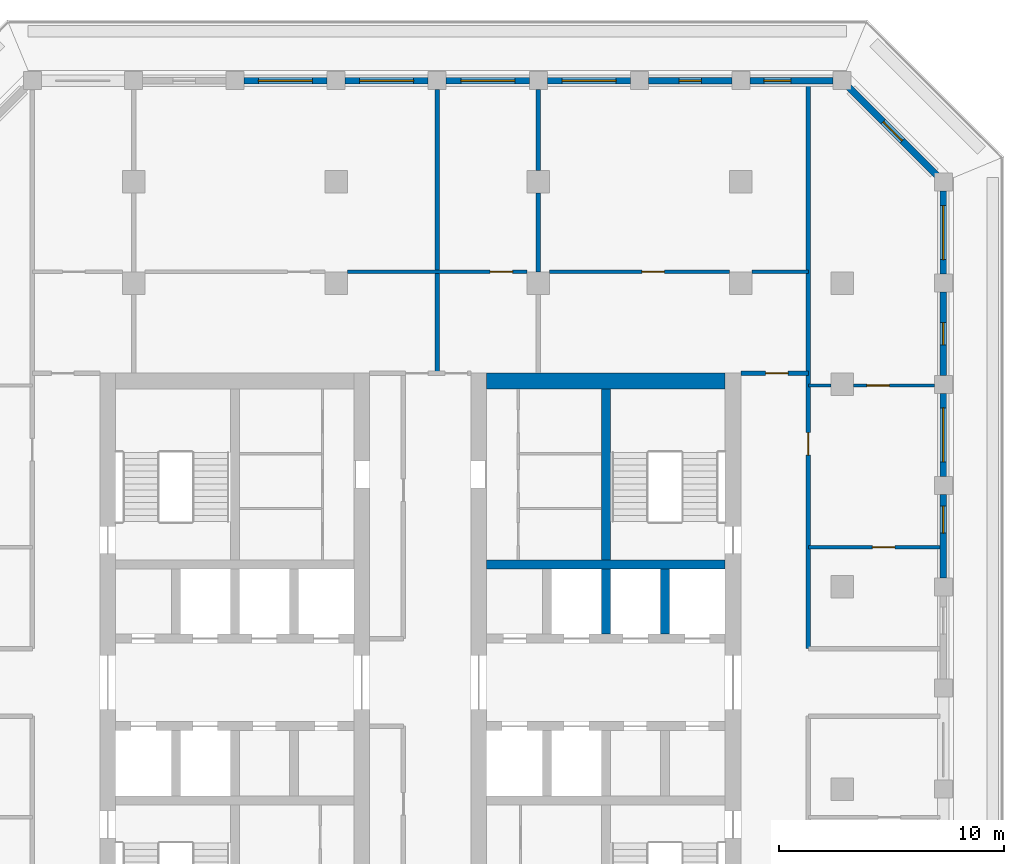
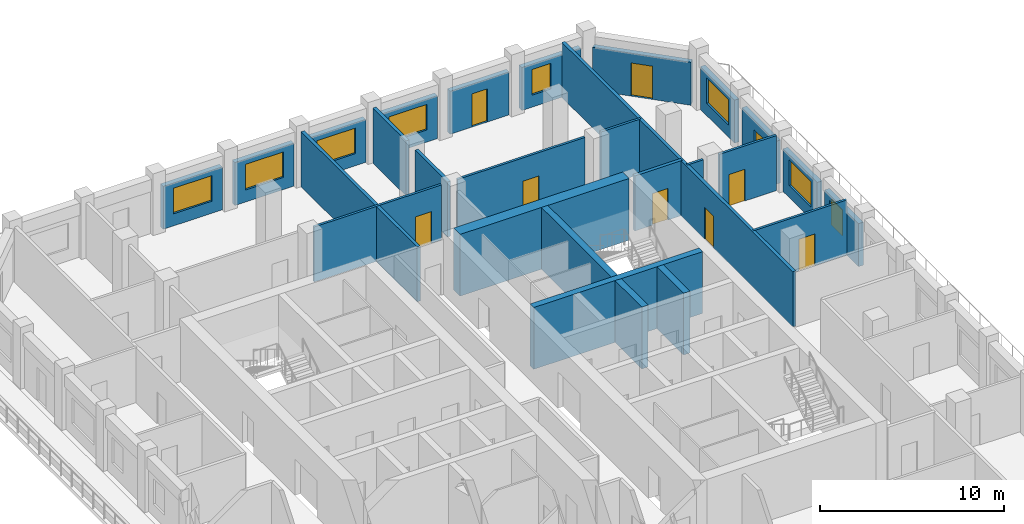
# One storey, part 7 of 17: 27 walls, 9 doors, 8 windows, 17 openings.
"""IFC4 building model written with IfcOpenShell, lengths in metres."""

from ifc_helpers import new_model, si_unit, direction, frame, frame_2d, origin, place, context, subcontext, project, spatial, rectangle, extrude, material, layer, layer_set, type_object, element, fill, save


model = new_model("IFC4")

# Units and contexts
model_context = context("Model", 3, precision=1e-05, world=origin(), true_north=direction((0.0, 1.0)))
body_context = subcontext(model_context, "Body", "Model", "MODEL_VIEW")
ifc_project = project(units=[si_unit("LENGTHUNIT", "METRE"), si_unit("AREAUNIT", "SQUARE_METRE"), si_unit("VOLUMEUNIT", "CUBIC_METRE"), si_unit("PLANEANGLEUNIT", "RADIAN"), si_unit("MASSUNIT", "GRAM", prefix="KILO")], contexts=[model_context])

# Site, building, storey
site_placement = place(None, origin())
site = spatial("IfcSite", under=ifc_project, at=site_placement, CompositionType="ELEMENT")
building_placement = place(site_placement, origin())
building = spatial("IfcBuilding", under=site, at=building_placement, Name="Corbel Stack Research Tower", CompositionType="ELEMENT")
storey_placement = place(building_placement, frame((0.0, 0.0, 252.10009765625)))
storey = spatial("IfcBuildingStorey", under=building, at=storey_placement, Name="L57", CompositionType="ELEMENT", Elevation=252.10009765625)

# Walls
ifc_material_1 = material(Name="Concrete C60/75", Category="concrete")
ifc_layer_1 = layer(ifc_material_1, 0.39990234375)
ifc_layer_set_1 = layer_set([ifc_layer_1], Name="Concrete C60/75")
wall_type_1 = type_object("IfcWallType", Name="CW-400-60", PredefinedType="SHEAR", material=ifc_layer_set_1)
wall_1_placement = place(storey_placement, frame((6.699951171875, 10.0, 0.0), z_axis=(0.0, 0.0, 1.0), x_axis=(1.0, 0.0, 0.0)))
element("IfcWall", 1, at=wall_1_placement, inside=storey, type_object=wall_type_1, Name="East core wall, north row back L57", PredefinedType="SHEAR", context=body_context, shape_type="SweptSolid", body=[
    extrude(rectangle(XDim=10.60009765625, YDim=0.39990234375, at=frame_2d((5.300048828125, 0.0))), origin(), (0.0, 0.0, 1.0), 4.099853515625),
])
for number, where, z_axis, x_axis, name in (
    (2, (12.0, 6.89990234375, 0.0), (0.0, 0.0, 1.0), (0.0, 1.0, 0.0), "East core wall, north shaft 2 L57"),
    (3, (14.625, 6.89990234375, 0.0), (0.0, 0.0, 1.0), (0.0, 1.0, 0.0), "East core wall, north shaft 3 L57"),
):
    element("IfcWall", number, at=place(storey_placement, frame(where, z_axis=z_axis, x_axis=x_axis)), inside=storey, type_object=wall_type_1, Name=name, PredefinedType="SHEAR", context=body_context, shape_type="SweptSolid", body=[
        extrude(rectangle(XDim=2.900146484375, YDim=0.39990234375, at=frame_2d((1.4501953125, 0.0))), origin(), (0.0, 0.0, 1.0), 4.099853515625),
    ])
wall_2_placement = place(storey_placement, frame((12.0, 10.199951171875, 0.0), z_axis=(0.0, 0.0, 1.0), x_axis=(0.0, 1.0, 0.0)))
element("IfcWall", 4, at=wall_2_placement, inside=storey, type_object=wall_type_1, Name="East core wall, north stair and riser L57", PredefinedType="SHEAR", context=body_context, shape_type="SweptSolid", body=[
    extrude(rectangle(XDim=7.60009765625, YDim=0.39990234375, at=frame_2d((3.800048828125, 0.0))), origin(), (0.0, 0.0, 1.0), 4.099853515625),
])
ifc_material_2 = material(Name="Concrete C60/75", Category="concrete")
ifc_layer_2 = layer(ifc_material_2, 0.699951171875)
ifc_layer_set_2 = layer_set([ifc_layer_2], Name="Concrete C60/75")
wall_type_2 = type_object("IfcWallType", Name="CW-700-60", PredefinedType="SHEAR", material=ifc_layer_set_2)
wall_3_placement = place(storey_placement, frame((6.699951171875, 18.14990234375, 0.0), z_axis=(0.0, 0.0, 1.0), x_axis=(1.0, 0.0, 0.0)))
element("IfcWall", 5, at=wall_3_placement, inside=storey, type_object=wall_type_2, Name="East core wall, north end L57", PredefinedType="SHEAR", context=body_context, shape_type="SweptSolid", body=[
    extrude(rectangle(XDim=10.60009765625, YDim=0.699951171875, at=frame_2d((5.300048828125, 0.0))), origin(), (0.0, 0.0, 1.0), 4.099853515625),
])
ifc_material_3 = material(Name="Fire-rated gypsum board partition on steel studs", Category="steel")
ifc_layer_3 = layer(ifc_material_3, 0.199951171875)
ifc_layer_set_3 = layer_set([ifc_layer_3], Name="Fire-rated gypsum board partition on steel studs")
wall_type_3 = type_object("IfcWallType", Name="Fire-rated partition 200 EI 60", PredefinedType="PARTITIONING", material=ifc_layer_set_3)
wall_4_placement = place(storey_placement, frame((4.5, 18.5, 0.0), z_axis=(0.0, 0.0, 1.0), x_axis=(0.0, 1.0, 0.0)))
element("IfcWall", 6, at=wall_4_placement, inside=storey, type_object=wall_type_3, Name="Partition L57-012", PredefinedType="PARTITIONING", context=body_context, shape_type="SweptSolid", body=[
    extrude(rectangle(XDim=12.60009765625, YDim=0.199951171875, at=frame_2d((6.300048828125, 0.0))), origin(), (0.0, 0.0, 1.0), 3.64990234375),
])
wall_5_placement = place(storey_placement, frame((9.0, 23.0, 0.0), z_axis=(0.0, 0.0, 1.0), x_axis=(0.0, 1.0, 0.0)))
element("IfcWall", 7, at=wall_5_placement, inside=storey, type_object=wall_type_3, Name="Partition L57-016", PredefinedType="PARTITIONING", context=body_context, shape_type="SweptSolid", body=[
    extrude(rectangle(XDim=3.5, YDim=0.199951171875, at=frame_2d((1.75, 0.0))), origin(), (0.0, 0.0, 1.0), 3.64990234375),
])
wall_6_placement = place(storey_placement, frame((9.0, 27.5, 0.0), z_axis=(0.0, 0.0, 1.0), x_axis=(0.0, 1.0, 0.0)))
element("IfcWall", 8, at=wall_6_placement, inside=storey, type_object=wall_type_3, Name="Partition L57-017", PredefinedType="PARTITIONING", context=body_context, shape_type="SweptSolid", body=[
    extrude(rectangle(XDim=3.60009765625, YDim=0.199951171875, at=frame_2d((1.800048828125, 0.0))), origin(), (0.0, 0.0, 1.0), 3.64990234375),
])

# Wall, opening, door
wall_7_placement = place(storey_placement, frame((21.0, 31.35009765625, 0.0), z_axis=(0.0, 0.0, 1.0), x_axis=(0.0, -1.0, 0.0)))
wall_7 = element("IfcWall", 9, at=wall_7_placement, inside=storey, type_object=wall_type_3, Name="Partition L57-019", PredefinedType="PARTITIONING", context=body_context, shape_type="SweptSolid", body=[
    extrude(rectangle(XDim=25.10009765625, YDim=0.199951171875, at=frame_2d((12.550048828125, 0.0))), origin(), (0.0, 0.0, 1.0), 3.64990234375),
])
opening_1_placement = place(wall_7_placement, frame((15.5, 0.0, 0.0)))
opening_1 = element("IfcOpeningElement", 10, at=opening_1_placement, cuts=wall_7, Name="Opening B7V1-027", PredefinedType="OPENING", context=body_context, shape_type="SweptSolid", body=[
    extrude(rectangle(XDim=1.0, YDim=2.10009765625, at=frame_2d((0.5, 1.050048828125))), frame((0.0, 0.10986328125, 0.0), z_axis=(0.0, -1.0, 0.0), x_axis=(1.0, 0.0, 0.0)), (0.0, 0.0, 1.0), 0.219970703125),
])
ifc_material_4 = material(Name="Painted steel fire door", Category="steel")
door_type_1 = type_object("IfcDoorType", Name="Fire door FD30S 1000 x 2100", OperationType="NOTDEFINED", PredefinedType="DOOR", material=ifc_material_4)
door_1_placement = place(opening_1_placement, origin())
door_1 = element("IfcDoor", 11, at=door_1_placement, inside=storey, type_object=door_type_1, Name="Door B7V1-027", OperationType="SINGLE_SWING_RIGHT", OverallHeight=2.10009765625, OverallWidth=1.0, PredefinedType="DOOR", context=body_context, shape_type="SweptSolid", body=[
    extrude(rectangle(XDim=1.0, YDim=2.10009765625, at=frame_2d((0.5, 1.050048828125))), frame((0.0, 0.02490234375, 0.0), z_axis=(0.0, -1.0, 0.0), x_axis=(1.0, 0.0, 0.0)), (0.0, 0.0, 1.0), 0.050048828125),
])
fill(opening_1, door_1)

wall_8_placement = place(storey_placement, frame((18.0, 18.5, 0.0), z_axis=(0.0, 0.0, 1.0), x_axis=(1.0, 0.0, 0.0)))
wall_8 = element("IfcWall", 12, at=wall_8_placement, inside=storey, type_object=wall_type_3, Name="Partition L57-044", PredefinedType="PARTITIONING", context=body_context, shape_type="SweptSolid", body=[
    extrude(rectangle(XDim=3.0, YDim=0.199951171875, at=frame_2d((1.5, 0.0))), origin(), (0.0, 0.0, 1.0), 3.64990234375),
])
opening_2_placement = place(wall_8_placement, frame((1.10009765625, 0.0, 0.0)))
opening_2 = element("IfcOpeningElement", 13, at=opening_2_placement, cuts=wall_8, Name="Opening B7V1-025", PredefinedType="OPENING", context=body_context, shape_type="SweptSolid", body=[
    extrude(rectangle(XDim=1.0, YDim=2.10009765625, at=frame_2d((0.5, 1.050048828125))), frame((0.0, 0.10986328125, 0.0), z_axis=(0.0, -1.0, 0.0), x_axis=(1.0, 0.0, 0.0)), (0.0, 0.0, 1.0), 0.219970703125),
])
door_2_placement = place(opening_2_placement, origin())
door_2 = element("IfcDoor", 14, at=door_2_placement, inside=storey, type_object=door_type_1, Name="Door B7V1-025", OperationType="SINGLE_SWING_RIGHT", OverallHeight=2.10009765625, OverallWidth=1.0, PredefinedType="DOOR", context=body_context, shape_type="SweptSolid", body=[
    extrude(rectangle(XDim=1.0, YDim=2.10009765625, at=frame_2d((0.5, 1.050048828125))), frame((0.0, 0.02490234375, 0.0), z_axis=(0.0, -1.0, 0.0), x_axis=(1.0, 0.0, 0.0)), (0.0, 0.0, 1.0), 0.050048828125),
])
fill(opening_2, door_2)

ifc_material_5 = material(Name="Gypsum board partition on steel studs", Category="steel")
ifc_layer_4 = layer(ifc_material_5, 0.14990234375)
ifc_layer_set_4 = layer_set([ifc_layer_4], Name="Gypsum board partition on steel studs")
wall_type_4 = type_object("IfcWallType", Name="Partition 150", PredefinedType="PARTITIONING", material=ifc_layer_set_4)
wall_9_placement = place(storey_placement, frame((26.85009765625, 10.75, 0.0), z_axis=(0.0, 0.0, 1.0), x_axis=(-1.0, 0.0, 0.0)))
wall_9 = element("IfcWall", 15, at=wall_9_placement, inside=storey, type_object=wall_type_4, Name="Partition L57-038", PredefinedType="PARTITIONING", context=body_context, shape_type="SweptSolid", body=[
    extrude(rectangle(XDim=5.85009765625, YDim=0.14990234375, at=frame_2d((2.925048828125, 0.0))), origin(), (0.0, 0.0, 1.0), 3.64990234375),
])
opening_3_placement = place(wall_9_placement, frame((2.0, 0.0, 0.0)))
opening_3 = element("IfcOpeningElement", 16, at=opening_3_placement, cuts=wall_9, Name="Opening B7V1-019", PredefinedType="OPENING", context=body_context, shape_type="SweptSolid", body=[
    extrude(rectangle(XDim=1.0, YDim=2.10009765625, at=frame_2d((0.5, 1.050048828125))), frame((0.0, 0.0849609375, 0.0), z_axis=(0.0, -1.0, 0.0), x_axis=(1.0, 0.0, 0.0)), (0.0, 0.0, 1.0), 0.169921875),
])
ifc_material_6 = material(Name="Painted timber door", Category="wood")
door_type_2 = type_object("IfcDoorType", Name="Single door 1000 x 2100", OperationType="NOTDEFINED", PredefinedType="DOOR", material=ifc_material_6)
door_3_placement = place(opening_3_placement, origin())
door_3 = element("IfcDoor", 17, at=door_3_placement, inside=storey, type_object=door_type_2, Name="Door B7V1-019", OperationType="SINGLE_SWING_LEFT", OverallHeight=2.10009765625, OverallWidth=1.0, PredefinedType="DOOR", context=body_context, shape_type="SweptSolid", body=[
    extrude(rectangle(XDim=1.0, YDim=2.10009765625, at=frame_2d((0.5, 1.050048828125))), frame((0.0, 0.02490234375, 0.0), z_axis=(0.0, -1.0, 0.0), x_axis=(1.0, 0.0, 0.0)), (0.0, 0.0, 1.0), 0.050048828125),
])
fill(opening_3, door_3)

# Wall
wall_10_placement = place(storey_placement, frame((21.0, 17.949951171875, 0.0), z_axis=(0.0, 0.0, 1.0), x_axis=(1.0, 0.0, 0.0)))
element("IfcWall", 18, at=wall_10_placement, inside=storey, type_object=wall_type_4, Name="Partition L57-040", PredefinedType="PARTITIONING", context=body_context, shape_type="SweptSolid", body=[
    extrude(rectangle(XDim=1.0, YDim=0.14990234375, at=frame_2d((0.5, 0.0))), origin(), (0.0, 0.0, 1.0), 3.64990234375),
])

# Wall, opening, door
wall_11_placement = place(storey_placement, frame((23.0, 17.949951171875, 0.0), z_axis=(0.0, 0.0, 1.0), x_axis=(1.0, 0.0, 0.0)))
wall_11 = element("IfcWall", 19, at=wall_11_placement, inside=storey, type_object=wall_type_4, Name="Partition L57-041", PredefinedType="PARTITIONING", context=body_context, shape_type="SweptSolid", body=[
    extrude(rectangle(XDim=3.60009765625, YDim=0.14990234375, at=frame_2d((1.800048828125, 0.0))), origin(), (0.0, 0.0, 1.0), 3.64990234375),
])
opening_4_placement = place(wall_11_placement, frame((0.60009765625, 0.0, 0.0)))
opening_4 = element("IfcOpeningElement", 20, at=opening_4_placement, cuts=wall_11, Name="Opening B7V1-021", PredefinedType="OPENING", context=body_context, shape_type="SweptSolid", body=[
    extrude(rectangle(XDim=1.0, YDim=2.10009765625, at=frame_2d((0.5, 1.050048828125))), frame((0.0, 0.0849609375, 0.0), z_axis=(0.0, -1.0, 0.0), x_axis=(1.0, 0.0, 0.0)), (0.0, 0.0, 1.0), 0.169921875),
])
door_4_placement = place(opening_4_placement, origin())
door_4 = element("IfcDoor", 21, at=door_4_placement, inside=storey, type_object=door_type_2, Name="Door B7V1-021", OperationType="SINGLE_SWING_LEFT", OverallHeight=2.10009765625, OverallWidth=1.0, PredefinedType="DOOR", context=body_context, shape_type="SweptSolid", body=[
    extrude(rectangle(XDim=1.0, YDim=2.10009765625, at=frame_2d((0.5, 1.050048828125))), frame((0.0, 0.02490234375, 0.0), z_axis=(0.0, -1.0, 0.0), x_axis=(1.0, 0.0, 0.0)), (0.0, 0.0, 1.0), 0.050048828125),
])
fill(opening_4, door_4)

wall_12_placement = place(storey_placement, frame((0.5, 23.0, 0.0), z_axis=(0.0, 0.0, 1.0), x_axis=(1.0, 0.0, 0.0)))
wall_12 = element("IfcWall", 22, at=wall_12_placement, inside=storey, type_object=wall_type_4, Name="Partition L57-047", PredefinedType="PARTITIONING", context=body_context, shape_type="SweptSolid", body=[
    extrude(rectangle(XDim=8.0, YDim=0.14990234375, at=frame_2d((4.0, 0.0))), origin(), (0.0, 0.0, 1.0), 3.64990234375),
])
opening_5_placement = place(wall_12_placement, frame((6.35009765625, 0.0, 0.0)))
opening_5 = element("IfcOpeningElement", 23, at=opening_5_placement, cuts=wall_12, Name="Opening B7V1-030", PredefinedType="OPENING", context=body_context, shape_type="SweptSolid", body=[
    extrude(rectangle(XDim=1.0, YDim=2.10009765625, at=frame_2d((0.5, 1.050048828125))), frame((0.0, 0.0849609375, 0.0), z_axis=(0.0, -1.0, 0.0), x_axis=(1.0, 0.0, 0.0)), (0.0, 0.0, 1.0), 0.169921875),
])
door_5_placement = place(opening_5_placement, origin())
door_5 = element("IfcDoor", 24, at=door_5_placement, inside=storey, type_object=door_type_2, Name="Door B7V1-030", OperationType="SINGLE_SWING_RIGHT", OverallHeight=2.10009765625, OverallWidth=1.0, PredefinedType="DOOR", context=body_context, shape_type="SweptSolid", body=[
    extrude(rectangle(XDim=1.0, YDim=2.10009765625, at=frame_2d((0.5, 1.050048828125))), frame((0.0, 0.02490234375, 0.0), z_axis=(0.0, -1.0, 0.0), x_axis=(1.0, 0.0, 0.0)), (0.0, 0.0, 1.0), 0.050048828125),
])
fill(opening_5, door_5)

wall_13_placement = place(storey_placement, frame((9.5, 23.0, 0.0), z_axis=(0.0, 0.0, 1.0), x_axis=(1.0, 0.0, 0.0)))
wall_13 = element("IfcWall", 25, at=wall_13_placement, inside=storey, type_object=wall_type_4, Name="Partition L57-048", PredefinedType="PARTITIONING", context=body_context, shape_type="SweptSolid", body=[
    extrude(rectangle(XDim=8.0, YDim=0.14990234375, at=frame_2d((4.0, 0.0))), origin(), (0.0, 0.0, 1.0), 3.64990234375),
])
opening_6_placement = place(wall_13_placement, frame((4.10009765625, 0.0, 0.0)))
opening_6 = element("IfcOpeningElement", 26, at=opening_6_placement, cuts=wall_13, Name="Opening B7V1-031", PredefinedType="OPENING", context=body_context, shape_type="SweptSolid", body=[
    extrude(rectangle(XDim=1.0, YDim=2.10009765625, at=frame_2d((0.5, 1.050048828125))), frame((0.0, 0.0849609375, 0.0), z_axis=(0.0, -1.0, 0.0), x_axis=(1.0, 0.0, 0.0)), (0.0, 0.0, 1.0), 0.169921875),
])
door_6_placement = place(opening_6_placement, origin())
door_6 = element("IfcDoor", 27, at=door_6_placement, inside=storey, type_object=door_type_2, Name="Door B7V1-031", OperationType="SINGLE_SWING_RIGHT", OverallHeight=2.10009765625, OverallWidth=1.0, PredefinedType="DOOR", context=body_context, shape_type="SweptSolid", body=[
    extrude(rectangle(XDim=1.0, YDim=2.10009765625, at=frame_2d((0.5, 1.050048828125))), frame((0.0, 0.02490234375, 0.0), z_axis=(0.0, -1.0, 0.0), x_axis=(1.0, 0.0, 0.0)), (0.0, 0.0, 1.0), 0.050048828125),
])
fill(opening_6, door_6)

# Wall
wall_14_placement = place(storey_placement, frame((18.5, 23.0, 0.0), z_axis=(0.0, 0.0, 1.0), x_axis=(1.0, 0.0, 0.0)))
element("IfcWall", 28, at=wall_14_placement, inside=storey, type_object=wall_type_4, Name="Partition L57-049", PredefinedType="PARTITIONING", context=body_context, shape_type="SweptSolid", body=[
    extrude(rectangle(XDim=2.5, YDim=0.14990234375, at=frame_2d((1.25, 0.0))), origin(), (0.0, 0.0, 1.0), 3.64990234375),
])

# Wall, opening, window
ifc_material_7 = material(Name="Concrete C45/55", Category="concrete")
ifc_layer_5 = layer(ifc_material_7, 0.300048828125)
ifc_layer_set_5 = layer_set([ifc_layer_5], Name="Concrete C45/55")
wall_type_5 = type_object("IfcWallType", Name="Terracotta-faced concrete wall 300", PredefinedType="SOLIDWALL", material=ifc_layer_set_5)
wall_15_placement = place(storey_placement, frame((27.0, 13.10009765625, 0.0), z_axis=(0.0, 0.0, 1.0), x_axis=(0.0, -1.0, 0.0)))
wall_15 = element("IfcWall", 29, at=wall_15_placement, inside=storey, type_object=wall_type_5, Name="Facade wall L57 E07", PredefinedType="SOLIDWALL", context=body_context, shape_type="SweptSolid", body=[
    extrude(rectangle(XDim=3.7001953125, YDim=0.300048828125, at=frame_2d((1.85009765625, 0.0))), origin(), (0.0, 0.0, 1.0), 2.849853515625),
])
opening_7_placement = place(wall_15_placement, frame((0.512451171875, 0.0, 0.800048828125)))
opening_7 = element("IfcOpeningElement", 30, at=opening_7_placement, cuts=wall_15, Name="Opening W2", PredefinedType="OPENING", context=body_context, shape_type="SweptSolid", body=[
    extrude(rectangle(XDim=1.199951171875, YDim=1.699951171875, at=frame_2d((0.60009765625, 0.85009765625))), frame((0.0, 0.159912109375, 0.0), z_axis=(0.0, -1.0, 0.0), x_axis=(1.0, 0.0, 0.0)), (0.0, 0.0, 1.0), 0.320068359375),
])
ifc_material_8 = material(Name="Aluminium frame, clear double glazing", Category="aluminium")
window_type_1 = type_object("IfcWindowType", Name="Window W2 1200 x 1700", PartitioningType="SINGLE_PANEL", PredefinedType="WINDOW", material=ifc_material_8)
window_1_placement = place(opening_7_placement, origin())
window_1 = element("IfcWindow", 31, at=window_1_placement, inside=storey, type_object=window_type_1, Name="Window W2 L57 E07", OverallHeight=1.699951171875, OverallWidth=1.199951171875, PartitioningType="SINGLE_PANEL", PredefinedType="WINDOW", context=body_context, shape_type="SweptSolid", body=[
    extrude(rectangle(XDim=1.199951171875, YDim=1.699951171875, at=frame_2d((0.60009765625, 0.85009765625))), frame((0.0, 0.030029296875, 0.0), z_axis=(0.0, -1.0, 0.0), x_axis=(1.0, 0.0, 0.0)), (0.0, 0.0, 1.0), 0.06005859375),
])
fill(opening_7, window_1)

wall_16_placement = place(storey_placement, frame((27.0, 17.60009765625, 0.0), z_axis=(0.0, 0.0, 1.0), x_axis=(0.0, -1.0, 0.0)))
wall_16 = element("IfcWall", 32, at=wall_16_placement, inside=storey, type_object=wall_type_5, Name="Facade wall L57 E08", PredefinedType="SOLIDWALL", context=body_context, shape_type="SweptSolid", body=[
    extrude(rectangle(XDim=3.7001953125, YDim=0.300048828125, at=frame_2d((1.85009765625, 0.0))), origin(), (0.0, 0.0, 1.0), 2.849853515625),
])
opening_8_placement = place(wall_16_placement, frame((0.64990234375, 0.0, 0.800048828125)))
opening_8 = element("IfcOpeningElement", 33, at=opening_8_placement, cuts=wall_16, Name="Opening W1", PredefinedType="OPENING", context=body_context, shape_type="SweptSolid", body=[
    extrude(rectangle(XDim=2.39990234375, YDim=1.699951171875, at=frame_2d((1.199951171875, 0.85009765625))), frame((0.0, 0.159912109375, 0.0), z_axis=(0.0, -1.0, 0.0), x_axis=(1.0, 0.0, 0.0)), (0.0, 0.0, 1.0), 0.320068359375),
])
ifc_material_9 = material(Name="Aluminium frame, clear double glazing", Category="aluminium")
window_type_2 = type_object("IfcWindowType", Name="Window W1 2400 x 1700", PartitioningType="SINGLE_PANEL", PredefinedType="WINDOW", material=ifc_material_9)
window_2_placement = place(opening_8_placement, origin())
window_2 = element("IfcWindow", 34, at=window_2_placement, inside=storey, type_object=window_type_2, Name="Window W1 L57 E08", OverallHeight=1.699951171875, OverallWidth=2.39990234375, PartitioningType="SINGLE_PANEL", PredefinedType="WINDOW", context=body_context, shape_type="SweptSolid", body=[
    extrude(rectangle(XDim=2.39990234375, YDim=1.699951171875, at=frame_2d((1.199951171875, 0.85009765625))), frame((0.0, 0.030029296875, 0.0), z_axis=(0.0, -1.0, 0.0), x_axis=(1.0, 0.0, 0.0)), (0.0, 0.0, 1.0), 0.06005859375),
])
fill(opening_8, window_2)

# Wall, opening, door
wall_17_placement = place(storey_placement, frame((27.0, 22.10009765625, 0.0), z_axis=(0.0, 0.0, 1.0), x_axis=(0.0, -1.0, 0.0)))
wall_17 = element("IfcWall", 35, at=wall_17_placement, inside=storey, type_object=wall_type_5, Name="Facade wall L57 E09", PredefinedType="SOLIDWALL", context=body_context, shape_type="SweptSolid", body=[
    extrude(rectangle(XDim=3.7001953125, YDim=0.300048828125, at=frame_2d((1.85009765625, 0.0))), origin(), (0.0, 0.0, 1.0), 2.849853515625),
])
opening_9_placement = place(wall_17_placement, frame((1.35009765625, 0.0, 0.0)))
opening_9 = element("IfcOpeningElement", 36, at=opening_9_placement, cuts=wall_17, Name="Opening L57-B05", PredefinedType="OPENING", context=body_context, shape_type="SweptSolid", body=[
    extrude(rectangle(XDim=1.0, YDim=2.199951171875, at=frame_2d((0.5, 1.10009765625))), frame((0.0, 0.159912109375, 0.0), z_axis=(0.0, -1.0, 0.0), x_axis=(1.0, 0.0, 0.0)), (0.0, 0.0, 1.0), 0.320068359375),
])
ifc_material_10 = material(Name="Aluminium frame, clear double glazing", Category="aluminium")
door_type_3 = type_object("IfcDoorType", Name="Balcony door BD1 1000 x 2200", OperationType="NOTDEFINED", PredefinedType="DOOR", material=ifc_material_10)
door_7_placement = place(opening_9_placement, origin())
door_7 = element("IfcDoor", 37, at=door_7_placement, inside=storey, type_object=door_type_3, Name="Balcony door L57-B05", OperationType="SINGLE_SWING_RIGHT", OverallHeight=2.199951171875, OverallWidth=1.0, PredefinedType="DOOR", context=body_context, shape_type="SweptSolid", body=[
    extrude(rectangle(XDim=1.0, YDim=2.199951171875, at=frame_2d((0.5, 1.10009765625))), frame((0.0, 0.02490234375, 0.0), z_axis=(0.0, -1.0, 0.0), x_axis=(1.0, 0.0, 0.0)), (0.0, 0.0, 1.0), 0.050048828125),
])
fill(opening_9, door_7)

# Wall, opening, window
wall_18_placement = place(storey_placement, frame((27.0, 26.60009765625, 0.0), z_axis=(0.0, 0.0, 1.0), x_axis=(0.0, -1.0, 0.0)))
wall_18 = element("IfcWall", 38, at=wall_18_placement, inside=storey, type_object=wall_type_5, Name="Facade wall L57 E10", PredefinedType="SOLIDWALL", context=body_context, shape_type="SweptSolid", body=[
    extrude(rectangle(XDim=3.7001953125, YDim=0.300048828125, at=frame_2d((1.85009765625, 0.0))), origin(), (0.0, 0.0, 1.0), 2.849853515625),
])
opening_10_placement = place(wall_18_placement, frame((0.64990234375, 0.0, 0.800048828125)))
opening_10 = element("IfcOpeningElement", 39, at=opening_10_placement, cuts=wall_18, Name="Opening W1", PredefinedType="OPENING", context=body_context, shape_type="SweptSolid", body=[
    extrude(rectangle(XDim=2.39990234375, YDim=1.699951171875, at=frame_2d((1.199951171875, 0.85009765625))), frame((0.0, 0.159912109375, 0.0), z_axis=(0.0, -1.0, 0.0), x_axis=(1.0, 0.0, 0.0)), (0.0, 0.0, 1.0), 0.320068359375),
])
window_3_placement = place(opening_10_placement, origin())
window_3 = element("IfcWindow", 40, at=window_3_placement, inside=storey, type_object=window_type_2, Name="Window W1 L57 E10", OverallHeight=1.699951171875, OverallWidth=2.39990234375, PartitioningType="SINGLE_PANEL", PredefinedType="WINDOW", context=body_context, shape_type="SweptSolid", body=[
    extrude(rectangle(XDim=2.39990234375, YDim=1.699951171875, at=frame_2d((1.199951171875, 0.85009765625))), frame((0.0, 0.030029296875, 0.0), z_axis=(0.0, -1.0, 0.0), x_axis=(1.0, 0.0, 0.0)), (0.0, 0.0, 1.0), 0.06005859375),
])
fill(opening_10, window_3)

# Wall, opening, door
wall_19_placement = place(storey_placement, frame((22.7939453125, 31.2060546875, 0.0), z_axis=(0.0, 0.0, 1.0), x_axis=(0.707106781187, -0.707106781187, 0.0)))
wall_19 = element("IfcWall", 41, at=wall_19_placement, inside=storey, type_object=wall_type_5, Name="Facade wall L57 NE01", PredefinedType="SOLIDWALL", context=body_context, shape_type="SweptSolid", body=[
    extrude(rectangle(XDim=5.532470703125, YDim=0.300048828125, at=frame_2d((2.76611328125, 0.0))), origin(), (0.0, 0.0, 1.0), 2.849853515625),
])
opening_11_placement = place(wall_19_placement, frame((2.166259765625, 0.0, 0.0)))
opening_11 = element("IfcOpeningElement", 42, at=opening_11_placement, cuts=wall_19, Name="Opening L57-B06", PredefinedType="OPENING", context=body_context, shape_type="SweptSolid", body=[
    extrude(rectangle(XDim=1.199951171875, YDim=2.199951171875, at=frame_2d((0.60009765625, 1.10009765625))), frame((0.0, 0.159912109375, 0.0), z_axis=(0.0, -1.0, 0.0), x_axis=(1.0, 0.0, 0.0)), (0.0, 0.0, 1.0), 0.320068359375),
])
ifc_material_11 = material(Name="Aluminium frame, clear double glazing", Category="aluminium")
door_type_4 = type_object("IfcDoorType", Name="Balcony door BD2 1200 x 2200", OperationType="NOTDEFINED", PredefinedType="DOOR", material=ifc_material_11)
door_8_placement = place(opening_11_placement, origin())
door_8 = element("IfcDoor", 43, at=door_8_placement, inside=storey, type_object=door_type_4, Name="Balcony door L57-B06", OperationType="SINGLE_SWING_RIGHT", OverallHeight=2.199951171875, OverallWidth=1.199951171875, PredefinedType="DOOR", context=body_context, shape_type="SweptSolid", body=[
    extrude(rectangle(XDim=1.199951171875, YDim=2.199951171875, at=frame_2d((0.60009765625, 1.10009765625))), frame((0.0, 0.02490234375, 0.0), z_axis=(0.0, -1.0, 0.0), x_axis=(1.0, 0.0, 0.0)), (0.0, 0.0, 1.0), 0.050048828125),
])
fill(opening_11, door_8)

# Wall, opening, window
wall_20_placement = place(storey_placement, frame((18.39990234375, 31.5, 0.0), z_axis=(0.0, 0.0, 1.0), x_axis=(1.0, 0.0, 0.0)))
wall_20 = element("IfcWall", 44, at=wall_20_placement, inside=storey, type_object=wall_type_5, Name="Facade wall L57 N01", PredefinedType="SOLIDWALL", context=body_context, shape_type="SweptSolid", body=[
    extrude(rectangle(XDim=3.7001953125, YDim=0.300048828125, at=frame_2d((1.85009765625, 0.0))), origin(), (0.0, 0.0, 1.0), 2.849853515625),
])
opening_12_placement = place(wall_20_placement, frame((0.625, 0.0, 0.800048828125)))
opening_12 = element("IfcOpeningElement", 45, at=opening_12_placement, cuts=wall_20, Name="Opening W2", PredefinedType="OPENING", context=body_context, shape_type="SweptSolid", body=[
    extrude(rectangle(XDim=1.199951171875, YDim=1.699951171875, at=frame_2d((0.60009765625, 0.85009765625))), frame((0.0, 0.159912109375, 0.0), z_axis=(0.0, -1.0, 0.0), x_axis=(1.0, 0.0, 0.0)), (0.0, 0.0, 1.0), 0.320068359375),
])
window_4_placement = place(opening_12_placement, origin())
window_4 = element("IfcWindow", 46, at=window_4_placement, inside=storey, type_object=window_type_1, Name="Window W2 L57 N01", OverallHeight=1.699951171875, OverallWidth=1.199951171875, PartitioningType="SINGLE_PANEL", PredefinedType="WINDOW", context=body_context, shape_type="SweptSolid", body=[
    extrude(rectangle(XDim=1.199951171875, YDim=1.699951171875, at=frame_2d((0.60009765625, 0.85009765625))), frame((0.0, 0.030029296875, 0.0), z_axis=(0.0, -1.0, 0.0), x_axis=(1.0, 0.0, 0.0)), (0.0, 0.0, 1.0), 0.06005859375),
])
fill(opening_12, window_4)

# Wall, opening, door
wall_21_placement = place(storey_placement, frame((13.89990234375, 31.5, 0.0), z_axis=(0.0, 0.0, 1.0), x_axis=(1.0, 0.0, 0.0)))
wall_21 = element("IfcWall", 47, at=wall_21_placement, inside=storey, type_object=wall_type_5, Name="Facade wall L57 N02", PredefinedType="SOLIDWALL", context=body_context, shape_type="SweptSolid", body=[
    extrude(rectangle(XDim=3.7001953125, YDim=0.300048828125, at=frame_2d((1.85009765625, 0.0))), origin(), (0.0, 0.0, 1.0), 2.849853515625),
])
opening_13_placement = place(wall_21_placement, frame((1.35009765625, 0.0, 0.0)))
opening_13 = element("IfcOpeningElement", 48, at=opening_13_placement, cuts=wall_21, Name="Opening L57-B07", PredefinedType="OPENING", context=body_context, shape_type="SweptSolid", body=[
    extrude(rectangle(XDim=1.0, YDim=2.199951171875, at=frame_2d((0.5, 1.10009765625))), frame((0.0, 0.159912109375, 0.0), z_axis=(0.0, -1.0, 0.0), x_axis=(1.0, 0.0, 0.0)), (0.0, 0.0, 1.0), 0.320068359375),
])
door_9_placement = place(opening_13_placement, origin())
door_9 = element("IfcDoor", 49, at=door_9_placement, inside=storey, type_object=door_type_3, Name="Balcony door L57-B07", OperationType="SINGLE_SWING_LEFT", OverallHeight=2.199951171875, OverallWidth=1.0, PredefinedType="DOOR", context=body_context, shape_type="SweptSolid", body=[
    extrude(rectangle(XDim=1.0, YDim=2.199951171875, at=frame_2d((0.5, 1.10009765625))), frame((0.0, 0.02490234375, 0.0), z_axis=(0.0, -1.0, 0.0), x_axis=(1.0, 0.0, 0.0)), (0.0, 0.0, 1.0), 0.050048828125),
])
fill(opening_13, door_9)

# Wall, opening, window
wall_22_placement = place(storey_placement, frame((9.39990234375, 31.5, 0.0), z_axis=(0.0, 0.0, 1.0), x_axis=(1.0, 0.0, 0.0)))
wall_22 = element("IfcWall", 50, at=wall_22_placement, inside=storey, type_object=wall_type_5, Name="Facade wall L57 N03", PredefinedType="SOLIDWALL", context=body_context, shape_type="SweptSolid", body=[
    extrude(rectangle(XDim=3.7001953125, YDim=0.300048828125, at=frame_2d((1.85009765625, 0.0))), origin(), (0.0, 0.0, 1.0), 2.849853515625),
])
opening_14_placement = place(wall_22_placement, frame((0.64990234375, 0.0, 0.800048828125)))
opening_14 = element("IfcOpeningElement", 51, at=opening_14_placement, cuts=wall_22, Name="Opening W1", PredefinedType="OPENING", context=body_context, shape_type="SweptSolid", body=[
    extrude(rectangle(XDim=2.39990234375, YDim=1.699951171875, at=frame_2d((1.199951171875, 0.85009765625))), frame((0.0, 0.159912109375, 0.0), z_axis=(0.0, -1.0, 0.0), x_axis=(1.0, 0.0, 0.0)), (0.0, 0.0, 1.0), 0.320068359375),
])
window_5_placement = place(opening_14_placement, origin())
window_5 = element("IfcWindow", 52, at=window_5_placement, inside=storey, type_object=window_type_2, Name="Window W1 L57 N03", OverallHeight=1.699951171875, OverallWidth=2.39990234375, PartitioningType="SINGLE_PANEL", PredefinedType="WINDOW", context=body_context, shape_type="SweptSolid", body=[
    extrude(rectangle(XDim=2.39990234375, YDim=1.699951171875, at=frame_2d((1.199951171875, 0.85009765625))), frame((0.0, 0.030029296875, 0.0), z_axis=(0.0, -1.0, 0.0), x_axis=(1.0, 0.0, 0.0)), (0.0, 0.0, 1.0), 0.06005859375),
])
fill(opening_14, window_5)

wall_23_placement = place(storey_placement, frame((4.89990234375, 31.5, 0.0), z_axis=(0.0, 0.0, 1.0), x_axis=(1.0, 0.0, 0.0)))
wall_23 = element("IfcWall", 53, at=wall_23_placement, inside=storey, type_object=wall_type_5, Name="Facade wall L57 N04", PredefinedType="SOLIDWALL", context=body_context, shape_type="SweptSolid", body=[
    extrude(rectangle(XDim=3.7001953125, YDim=0.300048828125, at=frame_2d((1.85009765625, 0.0))), origin(), (0.0, 0.0, 1.0), 2.849853515625),
])
opening_15_placement = place(wall_23_placement, frame((0.64990234375, 0.0, 0.800048828125)))
opening_15 = element("IfcOpeningElement", 54, at=opening_15_placement, cuts=wall_23, Name="Opening W1", PredefinedType="OPENING", context=body_context, shape_type="SweptSolid", body=[
    extrude(rectangle(XDim=2.39990234375, YDim=1.699951171875, at=frame_2d((1.199951171875, 0.85009765625))), frame((0.0, 0.159912109375, 0.0), z_axis=(0.0, -1.0, 0.0), x_axis=(1.0, 0.0, 0.0)), (0.0, 0.0, 1.0), 0.320068359375),
])
window_6_placement = place(opening_15_placement, origin())
window_6 = element("IfcWindow", 55, at=window_6_placement, inside=storey, type_object=window_type_2, Name="Window W1 L57 N04", OverallHeight=1.699951171875, OverallWidth=2.39990234375, PartitioningType="SINGLE_PANEL", PredefinedType="WINDOW", context=body_context, shape_type="SweptSolid", body=[
    extrude(rectangle(XDim=2.39990234375, YDim=1.699951171875, at=frame_2d((1.199951171875, 0.85009765625))), frame((0.0, 0.030029296875, 0.0), z_axis=(0.0, -1.0, 0.0), x_axis=(1.0, 0.0, 0.0)), (0.0, 0.0, 1.0), 0.06005859375),
])
fill(opening_15, window_6)

wall_24_placement = place(storey_placement, frame((0.39990234375, 31.5, 0.0), z_axis=(0.0, 0.0, 1.0), x_axis=(1.0, 0.0, 0.0)))
wall_24 = element("IfcWall", 56, at=wall_24_placement, inside=storey, type_object=wall_type_5, Name="Facade wall L57 N05", PredefinedType="SOLIDWALL", context=body_context, shape_type="SweptSolid", body=[
    extrude(rectangle(XDim=3.7001953125, YDim=0.300048828125, at=frame_2d((1.85009765625, 0.0))), origin(), (0.0, 0.0, 1.0), 2.849853515625),
])
opening_16_placement = place(wall_24_placement, frame((0.64990234375, 0.0, 0.800048828125)))
opening_16 = element("IfcOpeningElement", 57, at=opening_16_placement, cuts=wall_24, Name="Opening W1", PredefinedType="OPENING", context=body_context, shape_type="SweptSolid", body=[
    extrude(rectangle(XDim=2.39990234375, YDim=1.699951171875, at=frame_2d((1.199951171875, 0.85009765625))), frame((0.0, 0.159912109375, 0.0), z_axis=(0.0, -1.0, 0.0), x_axis=(1.0, 0.0, 0.0)), (0.0, 0.0, 1.0), 0.320068359375),
])
window_7_placement = place(opening_16_placement, origin())
window_7 = element("IfcWindow", 58, at=window_7_placement, inside=storey, type_object=window_type_2, Name="Window W1 L57 N05", OverallHeight=1.699951171875, OverallWidth=2.39990234375, PartitioningType="SINGLE_PANEL", PredefinedType="WINDOW", context=body_context, shape_type="SweptSolid", body=[
    extrude(rectangle(XDim=2.39990234375, YDim=1.699951171875, at=frame_2d((1.199951171875, 0.85009765625))), frame((0.0, 0.030029296875, 0.0), z_axis=(0.0, -1.0, 0.0), x_axis=(1.0, 0.0, 0.0)), (0.0, 0.0, 1.0), 0.06005859375),
])
fill(opening_16, window_7)

wall_25_placement = place(storey_placement, frame((-4.10009765625, 31.5, 0.0), z_axis=(0.0, 0.0, 1.0), x_axis=(1.0, 0.0, 0.0)))
wall_25 = element("IfcWall", 59, at=wall_25_placement, inside=storey, type_object=wall_type_5, Name="Facade wall L57 N06", PredefinedType="SOLIDWALL", context=body_context, shape_type="SweptSolid", body=[
    extrude(rectangle(XDim=3.7001953125, YDim=0.300048828125, at=frame_2d((1.85009765625, 0.0))), origin(), (0.0, 0.0, 1.0), 2.849853515625),
])
opening_17_placement = place(wall_25_placement, frame((0.64990234375, 0.0, 0.800048828125)))
opening_17 = element("IfcOpeningElement", 60, at=opening_17_placement, cuts=wall_25, Name="Opening W1", PredefinedType="OPENING", context=body_context, shape_type="SweptSolid", body=[
    extrude(rectangle(XDim=2.39990234375, YDim=1.699951171875, at=frame_2d((1.199951171875, 0.85009765625))), frame((0.0, 0.159912109375, 0.0), z_axis=(0.0, -1.0, 0.0), x_axis=(1.0, 0.0, 0.0)), (0.0, 0.0, 1.0), 0.320068359375),
])
window_8_placement = place(opening_17_placement, origin())
window_8 = element("IfcWindow", 61, at=window_8_placement, inside=storey, type_object=window_type_2, Name="Window W1 L57 N06", OverallHeight=1.699951171875, OverallWidth=2.39990234375, PartitioningType="SINGLE_PANEL", PredefinedType="WINDOW", context=body_context, shape_type="SweptSolid", body=[
    extrude(rectangle(XDim=2.39990234375, YDim=1.699951171875, at=frame_2d((1.199951171875, 0.85009765625))), frame((0.0, 0.030029296875, 0.0), z_axis=(0.0, -1.0, 0.0), x_axis=(1.0, 0.0, 0.0)), (0.0, 0.0, 1.0), 0.06005859375),
])
fill(opening_17, window_8)

save(model, "model.ifc")
